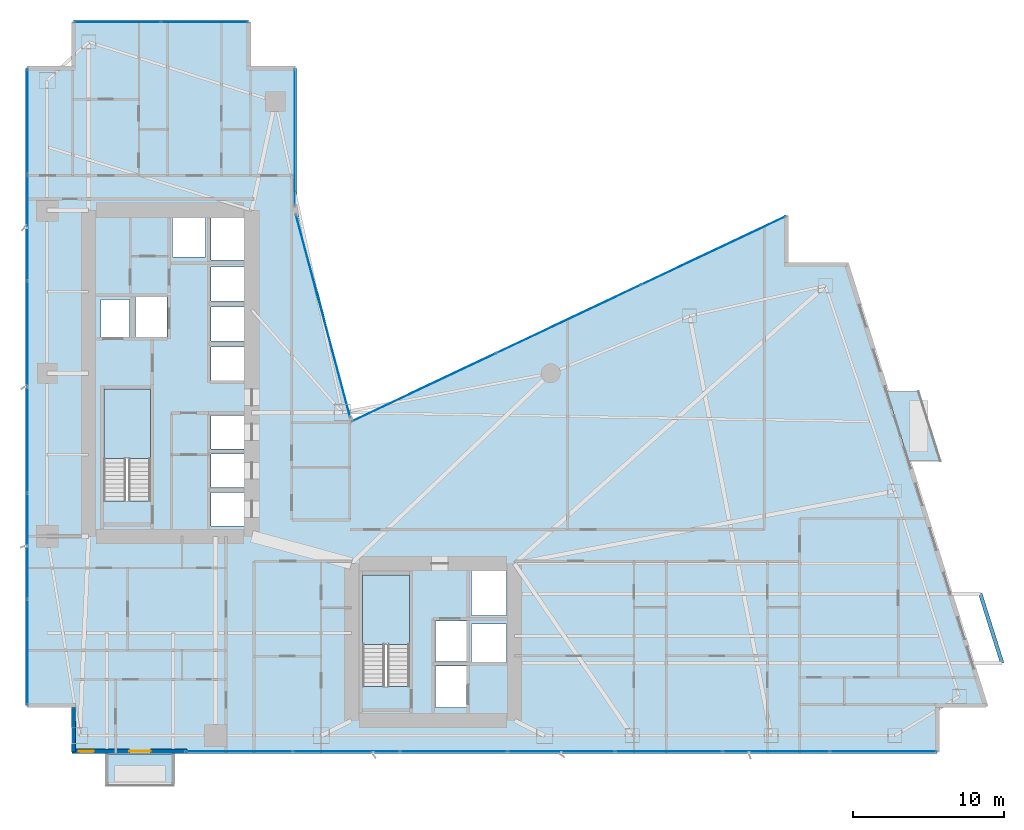
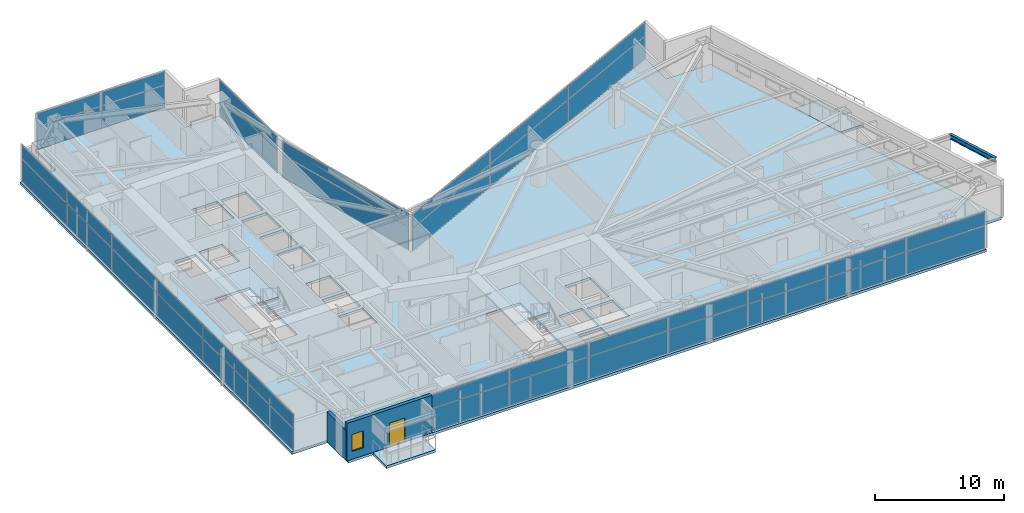
# One storey, part 21 of 29: 40 plates, 5 slabs, 2 walls, 1 beam, 1 door, 1 window, 2 openings, 8 elements without a shape of their own.
"""IFC4 building model written with IfcOpenShell, lengths in metres."""

from ifc_helpers import new_model, si_unit, direction, frame, frame_2d, origin, origin_2d, place, context, subcontext, project, spatial, polyline, rectangle, i_section, outline, extrude, material, layer, layer_set, material_profile, profile_set, type_object, element, fill, aggregate, save


model = new_model("IFC4")

# Units and contexts
model_context = context("Model", 3, precision=1e-05, world=origin(), true_north=direction((0.0, 1.0)))
body_context = subcontext(model_context, "Body", "Model", "MODEL_VIEW")
ifc_project = project(units=[si_unit("LENGTHUNIT", "METRE"), si_unit("AREAUNIT", "SQUARE_METRE"), si_unit("VOLUMEUNIT", "CUBIC_METRE"), si_unit("PLANEANGLEUNIT", "RADIAN"), si_unit("MASSUNIT", "GRAM", prefix="KILO")], contexts=[model_context])

# Site, building, storey
site_placement = place(None, origin())
site = spatial("IfcSite", under=ifc_project, at=site_placement, CompositionType="ELEMENT")
building_placement = place(site_placement, origin())
building = spatial("IfcBuilding", under=site, at=building_placement, Name="Calvorn Quay Hotel", CompositionType="ELEMENT")
storey_placement = place(building_placement, frame((0.0, 0.0, 69.800048828125)))
storey = spatial("IfcBuildingStorey", under=building, at=storey_placement, Name="L16", CompositionType="ELEMENT", Elevation=69.800048828125)

# Beam
ifc_material_1 = material(Name="Steel Q355B", Category="steel")
ifc_material_profile = material_profile(ifc_material_1, i_section(OverallWidth=0.25, OverallDepth=0.449951171875, WebThickness=0.011962890625, FlangeThickness=0.01611328125, FilletRadius=0.01611328125, at=origin_2d()), Name="HN450x250x12x16")
ifc_profile_set = profile_set([ifc_material_profile], Name="Steel Q355B")
beam_type = type_object("IfcBeamType", Name="BM-CANT-BALC", PredefinedType="BEAM", material=ifc_profile_set)
beam_placement = place(storey_placement, frame((64.7080078125, 8.39990234375, 3.31494140625), z_axis=(-0.300620172346, 0.953743944662, 0.0), x_axis=(-0.953743944662, -0.300620172346, 0.0)))
element("IfcBeam", 1, at=beam_placement, inside=storey, type_object=beam_type, Name="Beam BCBO-L17-1", PredefinedType="BEAM", context=body_context, shape_type="SweptSolid", body=[
    extrude(i_section(OverallWidth=0.25, OverallDepth=0.449951171875, WebThickness=0.011962890625, FlangeThickness=0.01611328125, FilletRadius=0.01611328125, at=origin_2d()), origin(), (0.0, 0.0, 1.0), 4.8232421875),
])

# Curtain wall, plates
ifc_material_2 = material(Name="Pale Anodised Aluminium and Low-E Glass", Category="aluminium")
ifc_layer_1 = layer(ifc_material_2, 0.219970703125)
ifc_layer_set_1 = layer_set([ifc_layer_1], Name="CW-SYS-Z1")
curtain_wall_type = type_object("IfcCurtainWallType", Name="CW-SYS-Z1", PredefinedType="NOTDEFINED", material=ifc_layer_set_1)
curtain_wall_1_placement = place(storey_placement, origin())
curtain_wall_1 = element("IfcCurtainWall", 2, at=curtain_wall_1_placement, inside=storey, type_object=curtain_wall_type, Name="Tower West Curtain Wall (L16)", PredefinedType="NOTDEFINED")
ifc_material_3 = material(Name="Low-E Laminated Double Glazing", Category="glass")
ifc_layer_2 = layer(ifc_material_3, 0.028076171875)
ifc_layer_set_2 = layer_set([ifc_layer_2], Name="CW-SYS-Z1-PAN")
plate_type = type_object("IfcPlateType", Name="CW-SYS-Z1-PAN", PredefinedType="CURTAIN_PANEL", material=ifc_layer_set_2)
plate_1_placement = place(storey_placement, frame((0.14990234375, 9.131591796875, 0.06005859375), z_axis=(0.0, 0.0, 1.0), x_axis=(0.0, 1.0, 0.0)))
plate_1 = element("IfcPlate", 3, at=plate_1_placement, type_object=plate_type, Name="CW-L16-W panel 1.1", PredefinedType="CURTAIN_PANEL", context=body_context, shape_type="SweptSolid", body=[
    extrude(rectangle(XDim=6.943359375, YDim=0.028076171875, at=origin_2d()), origin(), (0.0, 0.0, 1.0), 2.110107421875),
])
plate_2_placement = place(storey_placement, frame((0.14990234375, 9.131591796875, 2.22998046875), z_axis=(0.0, 0.0, 1.0), x_axis=(0.0, 1.0, 0.0)))
plate_2 = element("IfcPlate", 4, at=plate_2_placement, type_object=plate_type, Name="CW-L16-W panel 1.2", PredefinedType="CURTAIN_PANEL", context=body_context, shape_type="SweptSolid", body=[
    extrude(rectangle(XDim=6.943359375, YDim=0.028076171875, at=origin_2d()), origin(), (0.0, 0.0, 1.0), 1.27001953125),
])
plate_3_placement = place(storey_placement, frame((0.14990234375, 16.14990234375, 0.06005859375), z_axis=(0.0, 0.0, 1.0), x_axis=(0.0, 1.0, 0.0)))
plate_3 = element("IfcPlate", 5, at=plate_3_placement, type_object=plate_type, Name="CW-L16-W panel 2.1", PredefinedType="CURTAIN_PANEL", context=body_context, shape_type="SweptSolid", body=[
    extrude(rectangle(XDim=6.973388671875, YDim=0.028076171875, at=origin_2d()), origin(), (0.0, 0.0, 1.0), 2.110107421875),
])
plate_4_placement = place(storey_placement, frame((0.14990234375, 16.14990234375, 2.22998046875), z_axis=(0.0, 0.0, 1.0), x_axis=(0.0, 1.0, 0.0)))
plate_4 = element("IfcPlate", 6, at=plate_4_placement, type_object=plate_type, Name="CW-L16-W panel 2.2", PredefinedType="CURTAIN_PANEL", context=body_context, shape_type="SweptSolid", body=[
    extrude(rectangle(XDim=6.973388671875, YDim=0.028076171875, at=origin_2d()), origin(), (0.0, 0.0, 1.0), 1.27001953125),
])
plate_5_placement = place(storey_placement, frame((0.14990234375, 23.183349609375, 0.06005859375), z_axis=(0.0, 0.0, 1.0), x_axis=(0.0, 1.0, 0.0)))
plate_5 = element("IfcPlate", 7, at=plate_5_placement, type_object=plate_type, Name="CW-L16-W panel 3.1", PredefinedType="CURTAIN_PANEL", context=body_context, shape_type="SweptSolid", body=[
    extrude(rectangle(XDim=6.973388671875, YDim=0.028076171875, at=origin_2d()), origin(), (0.0, 0.0, 1.0), 2.110107421875),
])
plate_6_placement = place(storey_placement, frame((0.14990234375, 23.183349609375, 2.22998046875), z_axis=(0.0, 0.0, 1.0), x_axis=(0.0, 1.0, 0.0)))
plate_6 = element("IfcPlate", 8, at=plate_6_placement, type_object=plate_type, Name="CW-L16-W panel 3.2", PredefinedType="CURTAIN_PANEL", context=body_context, shape_type="SweptSolid", body=[
    extrude(rectangle(XDim=6.973388671875, YDim=0.028076171875, at=origin_2d()), origin(), (0.0, 0.0, 1.0), 1.27001953125),
])
plate_7_placement = place(storey_placement, frame((0.14990234375, 30.216552734375, 0.06005859375), z_axis=(0.0, 0.0, 1.0), x_axis=(0.0, 1.0, 0.0)))
plate_7 = element("IfcPlate", 9, at=plate_7_placement, type_object=plate_type, Name="CW-L16-W panel 4.1", PredefinedType="CURTAIN_PANEL", context=body_context, shape_type="SweptSolid", body=[
    extrude(rectangle(XDim=6.973388671875, YDim=0.028076171875, at=origin_2d()), origin(), (0.0, 0.0, 1.0), 2.110107421875),
])
plate_8_placement = place(storey_placement, frame((0.14990234375, 30.216552734375, 2.22998046875), z_axis=(0.0, 0.0, 1.0), x_axis=(0.0, 1.0, 0.0)))
plate_8 = element("IfcPlate", 10, at=plate_8_placement, type_object=plate_type, Name="CW-L16-W panel 4.2", PredefinedType="CURTAIN_PANEL", context=body_context, shape_type="SweptSolid", body=[
    extrude(rectangle(XDim=6.973388671875, YDim=0.028076171875, at=origin_2d()), origin(), (0.0, 0.0, 1.0), 1.27001953125),
])
plate_9_placement = place(storey_placement, frame((0.14990234375, 37.25, 0.06005859375), z_axis=(0.0, 0.0, 1.0), x_axis=(0.0, 1.0, 0.0)))
plate_9 = element("IfcPlate", 11, at=plate_9_placement, type_object=plate_type, Name="CW-L16-W panel 5.1", PredefinedType="CURTAIN_PANEL", context=body_context, shape_type="SweptSolid", body=[
    extrude(rectangle(XDim=6.973388671875, YDim=0.028076171875, at=origin_2d()), origin(), (0.0, 0.0, 1.0), 2.110107421875),
])
plate_10_placement = place(storey_placement, frame((0.14990234375, 37.25, 2.22998046875), z_axis=(0.0, 0.0, 1.0), x_axis=(0.0, 1.0, 0.0)))
plate_10 = element("IfcPlate", 12, at=plate_10_placement, type_object=plate_type, Name="CW-L16-W panel 5.2", PredefinedType="CURTAIN_PANEL", context=body_context, shape_type="SweptSolid", body=[
    extrude(rectangle(XDim=6.973388671875, YDim=0.028076171875, at=origin_2d()), origin(), (0.0, 0.0, 1.0), 1.27001953125),
])
plate_11_placement = place(storey_placement, frame((0.14990234375, 44.268310546875, 0.06005859375), z_axis=(0.0, 0.0, 1.0), x_axis=(0.0, 1.0, 0.0)))
plate_11 = element("IfcPlate", 13, at=plate_11_placement, type_object=plate_type, Name="CW-L16-W panel 6.1", PredefinedType="CURTAIN_PANEL", context=body_context, shape_type="SweptSolid", body=[
    extrude(rectangle(XDim=6.943359375, YDim=0.028076171875, at=origin_2d()), origin(), (0.0, 0.0, 1.0), 2.110107421875),
])
plate_12_placement = place(storey_placement, frame((0.14990234375, 44.268310546875, 2.22998046875), z_axis=(0.0, 0.0, 1.0), x_axis=(0.0, 1.0, 0.0)))
plate_12 = element("IfcPlate", 14, at=plate_12_placement, type_object=plate_type, Name="CW-L16-W panel 6.2", PredefinedType="CURTAIN_PANEL", context=body_context, shape_type="SweptSolid", body=[
    extrude(rectangle(XDim=6.943359375, YDim=0.028076171875, at=origin_2d()), origin(), (0.0, 0.0, 1.0), 1.27001953125),
])
aggregate(curtain_wall_1, [plate_1, plate_2, plate_3, plate_4, plate_5, plate_6, plate_7, plate_8, plate_9, plate_10, plate_11, plate_12])

curtain_wall_2_placement = place(storey_placement, origin())
curtain_wall_2 = element("IfcCurtainWall", 15, at=curtain_wall_2_placement, inside=storey, type_object=curtain_wall_type, Name="Tower South Waterfront Curtain Wall (L16)", PredefinedType="NOTDEFINED")
plate_13_placement = place(storey_placement, frame((14.172119140625, 2.550048828125, 0.06005859375), z_axis=(0.0, 0.0, 1.0), x_axis=(1.0, 0.0, 0.0)))
plate_13 = element("IfcPlate", 16, at=plate_13_placement, type_object=plate_type, Name="CW-L16-S panel 1.1", PredefinedType="CURTAIN_PANEL", context=body_context, shape_type="SweptSolid", body=[
    extrude(rectangle(XDim=7.024169921875, YDim=0.028076171875, at=origin_2d()), origin(), (0.0, 0.0, 1.0), 2.110107421875),
])
plate_14_placement = place(storey_placement, frame((14.172119140625, 2.550048828125, 2.22998046875), z_axis=(0.0, 0.0, 1.0), x_axis=(1.0, 0.0, 0.0)))
plate_14 = element("IfcPlate", 17, at=plate_14_placement, type_object=plate_type, Name="CW-L16-S panel 1.2", PredefinedType="CURTAIN_PANEL", context=body_context, shape_type="SweptSolid", body=[
    extrude(rectangle(XDim=7.024169921875, YDim=0.028076171875, at=origin_2d()), origin(), (0.0, 0.0, 1.0), 1.27001953125),
])
plate_15_placement = place(storey_placement, frame((21.271484375, 2.550048828125, 0.06005859375), z_axis=(0.0, 0.0, 1.0), x_axis=(1.0, 0.0, 0.0)))
plate_15 = element("IfcPlate", 18, at=plate_15_placement, type_object=plate_type, Name="CW-L16-S panel 2.1", PredefinedType="CURTAIN_PANEL", context=body_context, shape_type="SweptSolid", body=[
    extrude(rectangle(XDim=7.05419921875, YDim=0.028076171875, at=origin_2d()), origin(), (0.0, 0.0, 1.0), 2.110107421875),
])
plate_16_placement = place(storey_placement, frame((21.271484375, 2.550048828125, 2.22998046875), z_axis=(0.0, 0.0, 1.0), x_axis=(1.0, 0.0, 0.0)))
plate_16 = element("IfcPlate", 19, at=plate_16_placement, type_object=plate_type, Name="CW-L16-S panel 2.2", PredefinedType="CURTAIN_PANEL", context=body_context, shape_type="SweptSolid", body=[
    extrude(rectangle(XDim=7.05419921875, YDim=0.028076171875, at=origin_2d()), origin(), (0.0, 0.0, 1.0), 1.27001953125),
])
plate_17_placement = place(storey_placement, frame((28.3857421875, 2.550048828125, 0.06005859375), z_axis=(0.0, 0.0, 1.0), x_axis=(1.0, 0.0, 0.0)))
plate_17 = element("IfcPlate", 20, at=plate_17_placement, type_object=plate_type, Name="CW-L16-S panel 3.1", PredefinedType="CURTAIN_PANEL", context=body_context, shape_type="SweptSolid", body=[
    extrude(rectangle(XDim=7.05419921875, YDim=0.028076171875, at=origin_2d()), origin(), (0.0, 0.0, 1.0), 2.110107421875),
])
plate_18_placement = place(storey_placement, frame((28.3857421875, 2.550048828125, 2.22998046875), z_axis=(0.0, 0.0, 1.0), x_axis=(1.0, 0.0, 0.0)))
plate_18 = element("IfcPlate", 21, at=plate_18_placement, type_object=plate_type, Name="CW-L16-S panel 3.2", PredefinedType="CURTAIN_PANEL", context=body_context, shape_type="SweptSolid", body=[
    extrude(rectangle(XDim=7.05419921875, YDim=0.028076171875, at=origin_2d()), origin(), (0.0, 0.0, 1.0), 1.27001953125),
])
plate_19_placement = place(storey_placement, frame((35.5, 2.550048828125, 0.06005859375), z_axis=(0.0, 0.0, 1.0), x_axis=(1.0, 0.0, 0.0)))
plate_19 = element("IfcPlate", 22, at=plate_19_placement, type_object=plate_type, Name="CW-L16-S panel 4.1", PredefinedType="CURTAIN_PANEL", context=body_context, shape_type="SweptSolid", body=[
    extrude(rectangle(XDim=7.05419921875, YDim=0.028076171875, at=origin_2d()), origin(), (0.0, 0.0, 1.0), 2.110107421875),
])
plate_20_placement = place(storey_placement, frame((35.5, 2.550048828125, 2.22998046875), z_axis=(0.0, 0.0, 1.0), x_axis=(1.0, 0.0, 0.0)))
plate_20 = element("IfcPlate", 23, at=plate_20_placement, type_object=plate_type, Name="CW-L16-S panel 4.2", PredefinedType="CURTAIN_PANEL", context=body_context, shape_type="SweptSolid", body=[
    extrude(rectangle(XDim=7.05419921875, YDim=0.028076171875, at=origin_2d()), origin(), (0.0, 0.0, 1.0), 1.27001953125),
])
plate_21_placement = place(storey_placement, frame((42.6142578125, 2.550048828125, 0.06005859375), z_axis=(0.0, 0.0, 1.0), x_axis=(1.0, 0.0, 0.0)))
plate_21 = element("IfcPlate", 24, at=plate_21_placement, type_object=plate_type, Name="CW-L16-S panel 5.1", PredefinedType="CURTAIN_PANEL", context=body_context, shape_type="SweptSolid", body=[
    extrude(rectangle(XDim=7.05419921875, YDim=0.028076171875, at=origin_2d()), origin(), (0.0, 0.0, 1.0), 2.110107421875),
])
plate_22_placement = place(storey_placement, frame((42.6142578125, 2.550048828125, 2.22998046875), z_axis=(0.0, 0.0, 1.0), x_axis=(1.0, 0.0, 0.0)))
plate_22 = element("IfcPlate", 25, at=plate_22_placement, type_object=plate_type, Name="CW-L16-S panel 5.2", PredefinedType="CURTAIN_PANEL", context=body_context, shape_type="SweptSolid", body=[
    extrude(rectangle(XDim=7.05419921875, YDim=0.028076171875, at=origin_2d()), origin(), (0.0, 0.0, 1.0), 1.27001953125),
])
plate_23_placement = place(storey_placement, frame((49.728515625, 2.550048828125, 0.06005859375), z_axis=(0.0, 0.0, 1.0), x_axis=(1.0, 0.0, 0.0)))
plate_23 = element("IfcPlate", 26, at=plate_23_placement, type_object=plate_type, Name="CW-L16-S panel 6.1", PredefinedType="CURTAIN_PANEL", context=body_context, shape_type="SweptSolid", body=[
    extrude(rectangle(XDim=7.05419921875, YDim=0.028076171875, at=origin_2d()), origin(), (0.0, 0.0, 1.0), 2.110107421875),
])
plate_24_placement = place(storey_placement, frame((49.728515625, 2.550048828125, 2.22998046875), z_axis=(0.0, 0.0, 1.0), x_axis=(1.0, 0.0, 0.0)))
plate_24 = element("IfcPlate", 27, at=plate_24_placement, type_object=plate_type, Name="CW-L16-S panel 6.2", PredefinedType="CURTAIN_PANEL", context=body_context, shape_type="SweptSolid", body=[
    extrude(rectangle(XDim=7.05419921875, YDim=0.028076171875, at=origin_2d()), origin(), (0.0, 0.0, 1.0), 1.27001953125),
])
plate_25_placement = place(storey_placement, frame((56.827880859375, 2.550048828125, 0.06005859375), z_axis=(0.0, 0.0, 1.0), x_axis=(1.0, 0.0, 0.0)))
plate_25 = element("IfcPlate", 28, at=plate_25_placement, type_object=plate_type, Name="CW-L16-S panel 7.1", PredefinedType="CURTAIN_PANEL", context=body_context, shape_type="SweptSolid", body=[
    extrude(rectangle(XDim=7.024169921875, YDim=0.028076171875, at=origin_2d()), origin(), (0.0, 0.0, 1.0), 2.110107421875),
])
plate_26_placement = place(storey_placement, frame((56.827880859375, 2.550048828125, 2.22998046875), z_axis=(0.0, 0.0, 1.0), x_axis=(1.0, 0.0, 0.0)))
plate_26 = element("IfcPlate", 29, at=plate_26_placement, type_object=plate_type, Name="CW-L16-S panel 7.2", PredefinedType="CURTAIN_PANEL", context=body_context, shape_type="SweptSolid", body=[
    extrude(rectangle(XDim=7.024169921875, YDim=0.028076171875, at=origin_2d()), origin(), (0.0, 0.0, 1.0), 1.27001953125),
])
aggregate(curtain_wall_2, [plate_13, plate_14, plate_15, plate_16, plate_17, plate_18, plate_19, plate_20, plate_21, plate_22, plate_23, plate_24, plate_25, plate_26])

curtain_wall_3_placement = place(storey_placement, origin())
curtain_wall_3 = element("IfcCurtainWall", 30, at=curtain_wall_3_placement, inside=storey, type_object=curtain_wall_type, Name="Inner Court Curtain Wall L16-NE1", PredefinedType="NOTDEFINED")
plate_27_placement = place(storey_placement, frame((45.58642578125, 35.726806640625, 0.06005859375), z_axis=(0.0, 0.0, 1.0), x_axis=(-0.904248646743, -0.427006305415, 0.0)))
plate_27 = element("IfcPlate", 31, at=plate_27_placement, type_object=plate_type, Name="CW-L16-NE1 panel 1.1", PredefinedType="CURTAIN_PANEL", context=body_context, shape_type="SweptSolid", body=[
    extrude(rectangle(XDim=10.526611328125, YDim=0.028076171875, at=origin_2d()), origin(), (0.0, 0.0, 1.0), 2.110107421875),
])
plate_28_placement = place(storey_placement, frame((45.58642578125, 35.726806640625, 2.22998046875), z_axis=(0.0, 0.0, 1.0), x_axis=(-0.904248646743, -0.427006305415, 0.0)))
plate_28 = element("IfcPlate", 32, at=plate_28_placement, type_object=plate_type, Name="CW-L16-NE1 panel 1.2", PredefinedType="CURTAIN_PANEL", context=body_context, shape_type="SweptSolid", body=[
    extrude(rectangle(XDim=10.526611328125, YDim=0.028076171875, at=origin_2d()), origin(), (0.0, 0.0, 1.0), 1.27001953125),
])
plate_29_placement = place(storey_placement, frame((36.0, 31.199951171875, 0.06005859375), z_axis=(0.0, 0.0, 1.0), x_axis=(-0.904248646743, -0.427006305415, 0.0)))
plate_29 = element("IfcPlate", 33, at=plate_29_placement, type_object=plate_type, Name="CW-L16-NE1 panel 2.1", PredefinedType="CURTAIN_PANEL", context=body_context, shape_type="SweptSolid", body=[
    extrude(rectangle(XDim=10.556640625, YDim=0.028076171875, at=origin_2d()), origin(), (0.0, 0.0, 1.0), 2.110107421875),
])
plate_30_placement = place(storey_placement, frame((36.0, 31.199951171875, 2.22998046875), z_axis=(0.0, 0.0, 1.0), x_axis=(-0.904248646743, -0.427006305415, 0.0)))
plate_30 = element("IfcPlate", 34, at=plate_30_placement, type_object=plate_type, Name="CW-L16-NE1 panel 2.2", PredefinedType="CURTAIN_PANEL", context=body_context, shape_type="SweptSolid", body=[
    extrude(rectangle(XDim=10.556640625, YDim=0.028076171875, at=origin_2d()), origin(), (0.0, 0.0, 1.0), 1.27001953125),
])
plate_31_placement = place(storey_placement, frame((26.41357421875, 26.673095703125, 0.06005859375), z_axis=(0.0, 0.0, 1.0), x_axis=(-0.904248646743, -0.427006305415, 0.0)))
plate_31 = element("IfcPlate", 35, at=plate_31_placement, type_object=plate_type, Name="CW-L16-NE1 panel 3.1", PredefinedType="CURTAIN_PANEL", context=body_context, shape_type="SweptSolid", body=[
    extrude(rectangle(XDim=10.526611328125, YDim=0.028076171875, at=origin_2d()), origin(), (0.0, 0.0, 1.0), 2.110107421875),
])
plate_32_placement = place(storey_placement, frame((26.41357421875, 26.673095703125, 2.22998046875), z_axis=(0.0, 0.0, 1.0), x_axis=(-0.904248646743, -0.427006305415, 0.0)))
plate_32 = element("IfcPlate", 36, at=plate_32_placement, type_object=plate_type, Name="CW-L16-NE1 panel 3.2", PredefinedType="CURTAIN_PANEL", context=body_context, shape_type="SweptSolid", body=[
    extrude(rectangle(XDim=10.526611328125, YDim=0.028076171875, at=origin_2d()), origin(), (0.0, 0.0, 1.0), 1.27001953125),
])
aggregate(curtain_wall_3, [plate_27, plate_28, plate_29, plate_30, plate_31, plate_32])

curtain_wall_4_placement = place(storey_placement, origin())
curtain_wall_4 = element("IfcCurtainWall", 37, at=curtain_wall_4_placement, inside=storey, type_object=curtain_wall_type, Name="Inner Court Curtain Wall L16-IC1", PredefinedType="NOTDEFINED")
plate_33_placement = place(storey_placement, frame((19.72509765625, 31.39990234375, 0.06005859375), z_axis=(0.0, 0.0, 1.0), x_axis=(-0.25877913024, 0.96593652056, 0.0)))
plate_33 = element("IfcPlate", 38, at=plate_33_placement, type_object=plate_type, Name="CW-L16-IC1 panel 1.1", PredefinedType="CURTAIN_PANEL", context=body_context, shape_type="SweptSolid", body=[
    extrude(rectangle(XDim=13.814697265625, YDim=0.028076171875, at=origin_2d()), origin(), (0.0, 0.0, 1.0), 2.110107421875),
])
plate_34_placement = place(storey_placement, frame((19.72509765625, 31.39990234375, 2.22998046875), z_axis=(0.0, 0.0, 1.0), x_axis=(-0.25877913024, 0.96593652056, 0.0)))
plate_34 = element("IfcPlate", 39, at=plate_34_placement, type_object=plate_type, Name="CW-L16-IC1 panel 1.2", PredefinedType="CURTAIN_PANEL", context=body_context, shape_type="SweptSolid", body=[
    extrude(rectangle(XDim=13.814697265625, YDim=0.028076171875, at=origin_2d()), origin(), (0.0, 0.0, 1.0), 1.27001953125),
])
aggregate(curtain_wall_4, [plate_33, plate_34])

curtain_wall_5_placement = place(storey_placement, origin())
curtain_wall_5 = element("IfcCurtainWall", 40, at=curtain_wall_5_placement, inside=storey, type_object=curtain_wall_type, Name="Inner Court Curtain Wall L16-IC2", PredefinedType="NOTDEFINED")
plate_35_placement = place(storey_placement, frame((17.85009765625, 43.239990234375, 0.06005859375), z_axis=(0.0, 0.0, 1.0), x_axis=(0.0, 1.0, 0.0)))
plate_35 = element("IfcPlate", 41, at=plate_35_placement, type_object=plate_type, Name="CW-L16-IC2 panel 1.1", PredefinedType="CURTAIN_PANEL", context=body_context, shape_type="SweptSolid", body=[
    extrude(rectangle(XDim=9.0, YDim=0.028076171875, at=origin_2d()), origin(), (0.0, 0.0, 1.0), 2.110107421875),
])
plate_36_placement = place(storey_placement, frame((17.85009765625, 43.239990234375, 2.22998046875), z_axis=(0.0, 0.0, 1.0), x_axis=(0.0, 1.0, 0.0)))
plate_36 = element("IfcPlate", 42, at=plate_36_placement, type_object=plate_type, Name="CW-L16-IC2 panel 1.2", PredefinedType="CURTAIN_PANEL", context=body_context, shape_type="SweptSolid", body=[
    extrude(rectangle(XDim=9.0, YDim=0.028076171875, at=origin_2d()), origin(), (0.0, 0.0, 1.0), 1.27001953125),
])
aggregate(curtain_wall_5, [plate_35, plate_36])

curtain_wall_6_placement = place(storey_placement, origin())
curtain_wall_6 = element("IfcCurtainWall", 43, at=curtain_wall_6_placement, inside=storey, type_object=curtain_wall_type, Name="Inner Court Curtain Wall L16-N1", PredefinedType="NOTDEFINED")
plate_37_placement = place(storey_placement, frame((11.885009765625, 50.85009765625, 0.06005859375), z_axis=(0.0, 0.0, 1.0), x_axis=(-1.0, 0.0, 0.0)))
plate_37 = element("IfcPlate", 44, at=plate_37_placement, type_object=plate_type, Name="CW-L16-N1 panel 1.1", PredefinedType="CURTAIN_PANEL", context=body_context, shape_type="SweptSolid", body=[
    extrude(rectangle(XDim=5.7099609375, YDim=0.028076171875, at=origin_2d()), origin(), (0.0, 0.0, 1.0), 2.110107421875),
])
plate_38_placement = place(storey_placement, frame((11.885009765625, 50.85009765625, 2.22998046875), z_axis=(0.0, 0.0, 1.0), x_axis=(-1.0, 0.0, 0.0)))
plate_38 = element("IfcPlate", 45, at=plate_38_placement, type_object=plate_type, Name="CW-L16-N1 panel 1.2", PredefinedType="CURTAIN_PANEL", context=body_context, shape_type="SweptSolid", body=[
    extrude(rectangle(XDim=5.7099609375, YDim=0.028076171875, at=origin_2d()), origin(), (0.0, 0.0, 1.0), 1.27001953125),
])
plate_39_placement = place(storey_placement, frame((6.114990234375, 50.85009765625, 0.06005859375), z_axis=(0.0, 0.0, 1.0), x_axis=(-1.0, 0.0, 0.0)))
plate_39 = element("IfcPlate", 46, at=plate_39_placement, type_object=plate_type, Name="CW-L16-N1 panel 2.1", PredefinedType="CURTAIN_PANEL", context=body_context, shape_type="SweptSolid", body=[
    extrude(rectangle(XDim=5.7099609375, YDim=0.028076171875, at=origin_2d()), origin(), (0.0, 0.0, 1.0), 2.110107421875),
])
plate_40_placement = place(storey_placement, frame((6.114990234375, 50.85009765625, 2.22998046875), z_axis=(0.0, 0.0, 1.0), x_axis=(-1.0, 0.0, 0.0)))
plate_40 = element("IfcPlate", 47, at=plate_40_placement, type_object=plate_type, Name="CW-L16-N1 panel 2.2", PredefinedType="CURTAIN_PANEL", context=body_context, shape_type="SweptSolid", body=[
    extrude(rectangle(XDim=5.7099609375, YDim=0.028076171875, at=origin_2d()), origin(), (0.0, 0.0, 1.0), 1.27001953125),
])
aggregate(curtain_wall_6, [plate_37, plate_38, plate_39, plate_40])

# Slabs
ifc_material_4 = material(Name="Concrete C40", Category="concrete")
ifc_layer_3 = layer(ifc_material_4, 0.239990234375)
ifc_layer_set_3 = layer_set([ifc_layer_3], Name="SLB-BALCONY-220")
slab_type_1 = type_object("IfcSlabType", Name="SLB-BALCONY-220", PredefinedType="FLOOR", material=ifc_layer_set_3)
slab_1_placement = place(storey_placement, frame((0.0, 0.0, -0.239990234375)))
element("IfcSlab", 48, at=slab_1_placement, inside=storey, type_object=slab_type_1, Name="Tree Balcony Slab L16-BALC-E", PredefinedType="FLOOR", context=body_context, shape_type="SweptSolid", body=[
    extrude(outline(polyline([(58.506103515625, 21.800048828125), (60.60595703125, 21.800048828125), (59.156982421875, 26.39990234375), (57.056884765625, 26.39990234375), (58.506103515625, 21.800048828125)])), origin(), (0.0, 0.0, 1.0), 0.239990234375),
])
slab_2_placement = place(storey_placement, frame((0.0, 0.0, -0.239990234375)))
element("IfcSlab", 49, at=slab_2_placement, inside=storey, type_object=slab_type_1, Name="Tree Balcony Slab L16-BALC-S", PredefinedType="FLOOR", context=body_context, shape_type="SweptSolid", body=[
    extrude(outline(polyline([(5.39990234375, 0.2900390625), (9.800048828125, 0.2900390625), (9.800048828125, 2.389892578125), (5.39990234375, 2.389892578125), (5.39990234375, 0.2900390625)])), origin(), (0.0, 0.0, 1.0), 0.239990234375),
])

# Stair, slab
ifc_material_5 = material(Name="Concrete C40", Category="concrete")
stair_type = type_object("IfcStairType", Name="STR-CORE-DOGLEG", PredefinedType="HALF_TURN_STAIR", material=ifc_material_5)
stair_1_placement = place(storey_placement, origin())
stair_1 = element("IfcStair", 50, at=stair_1_placement, inside=storey, type_object=stair_type, Name="L16 ST-W", PredefinedType="HALF_TURN_STAIR")
ifc_material_6 = material(Name="Concrete C40", Category="concrete")
ifc_layer_4 = layer(ifc_material_6, 0.199951171875)
ifc_layer_set_4 = layer_set([ifc_layer_4], Name="SLB-STAIR-LANDING-200")
slab_type_2 = type_object("IfcSlabType", Name="SLB-STAIR-LANDING-200", PredefinedType="LANDING", material=ifc_layer_set_4)
slab_3_placement = place(storey_placement, frame((0.0, 0.0, 1.699951171875)))
slab_3 = element("IfcSlab", 51, at=slab_3_placement, type_object=slab_type_2, Name="ST-W landing 1", PredefinedType="LANDING", context=body_context, shape_type="SweptSolid", body=[
    extrude(outline(polyline([(8.300048828125, 21.949951171875), (8.300048828125, 26.550048828125), (5.199951171875, 26.550048828125), (5.199951171875, 21.949951171875), (8.300048828125, 21.949951171875)])), origin(), (0.0, 0.0, 1.0), 0.199951171875),
])
aggregate(stair_1, [slab_3])

stair_2_placement = place(storey_placement, origin())
stair_2 = element("IfcStair", 52, at=stair_2_placement, inside=storey, type_object=stair_type, Name="L16 ST-E", PredefinedType="HALF_TURN_STAIR")
slab_4_placement = place(storey_placement, frame((0.0, 0.0, 1.699951171875)))
slab_4 = element("IfcSlab", 53, at=slab_4_placement, type_object=slab_type_2, Name="ST-E landing 1", PredefinedType="LANDING", context=body_context, shape_type="SweptSolid", body=[
    extrude(outline(polyline([(25.449951171875, 9.64990234375), (25.449951171875, 14.25), (22.35009765625, 14.25), (22.35009765625, 9.64990234375), (25.449951171875, 9.64990234375)])), origin(), (0.0, 0.0, 1.0), 0.199951171875),
])
aggregate(stair_2, [slab_4])

# Slab
ifc_material_7 = material(Name="Concrete C40", Category="concrete")
ifc_layer_5 = layer(ifc_material_7, 0.239990234375)
ifc_layer_set_5 = layer_set([ifc_layer_5], Name="SLB-TOWER-240")
slab_type_3 = type_object("IfcSlabType", Name="SLB-TOWER-240", PredefinedType="FLOOR", material=ifc_layer_set_5)
slab_5_placement = place(storey_placement, frame((0.0, 0.0, -0.239990234375)))
element("IfcSlab", 54, at=slab_5_placement, inside=storey, type_object=slab_type_3, Name="L16 Structural Floor Slab", PredefinedType="FLOOR", context=body_context, shape_type="SweptSolid", body=[
    extrude(outline(polyline([(0.0, 5.60009765625), (3.199951171875, 5.60009765625), (3.199951171875, 2.39990234375), (60.39990234375, 2.39990234375), (60.39990234375, 5.60009765625), (63.60009765625, 5.60009765625), (54.39990234375, 34.800048828125), (50.39990234375, 34.800048828125), (50.39990234375, 38.0), (21.60009765625, 24.39990234375), (18.0, 38.39990234375), (18.0, 47.800048828125), (14.800048828125, 47.800048828125), (14.800048828125, 51.0), (3.199951171875, 51.0), (3.199951171875, 47.800048828125), (0.0, 47.800048828125), (0.0, 5.60009765625)]), holes=[polyline([(5.199951171875, 19.156005859375), (8.300048828125, 19.156005859375), (8.300048828125, 26.550048828125), (5.199951171875, 26.550048828125), (5.199951171875, 19.156005859375)]), polyline([(22.35009765625, 6.85595703125), (25.449951171875, 6.85595703125), (25.449951171875, 14.25), (22.35009765625, 14.25), (22.35009765625, 6.85595703125)]), polyline([(5.0, 30.0), (6.89990234375, 30.0), (6.89990234375, 32.5), (5.0, 32.5), (5.0, 30.0)]), polyline([(7.300048828125, 30.0), (9.39990234375, 30.0), (9.39990234375, 32.64990234375), (7.300048828125, 32.64990234375), (7.300048828125, 30.0)]), polyline([(27.159912109375, 8.5), (29.2099609375, 8.5), (29.2099609375, 11.199951171875), (27.159912109375, 11.199951171875), (27.159912109375, 8.5)]), polyline([(27.159912109375, 5.449951171875), (29.2099609375, 5.449951171875), (29.2099609375, 8.199951171875), (27.159912109375, 8.199951171875), (27.159912109375, 5.449951171875)]), polyline([(12.300048828125, 17.5), (14.489990234375, 17.5), (14.489990234375, 19.699951171875), (12.300048828125, 19.699951171875), (12.300048828125, 17.5)]), polyline([(12.300048828125, 20.050048828125), (14.489990234375, 20.050048828125), (14.489990234375, 22.25), (12.300048828125, 22.25), (12.300048828125, 20.050048828125)]), polyline([(12.300048828125, 22.60009765625), (14.489990234375, 22.60009765625), (14.489990234375, 24.800048828125), (12.300048828125, 24.800048828125), (12.300048828125, 22.60009765625)]), polyline([(12.300048828125, 27.10009765625), (14.489990234375, 27.10009765625), (14.489990234375, 29.35009765625), (12.300048828125, 29.35009765625), (12.300048828125, 27.10009765625)]), polyline([(12.300048828125, 29.75), (14.489990234375, 29.75), (14.489990234375, 32.0), (12.300048828125, 32.0), (12.300048828125, 29.75)]), polyline([(12.300048828125, 32.39990234375), (14.489990234375, 32.39990234375), (14.489990234375, 34.64990234375), (12.300048828125, 34.64990234375), (12.300048828125, 32.39990234375)]), polyline([(12.300048828125, 35.10009765625), (14.489990234375, 35.10009765625), (14.489990234375, 37.889892578125), (12.300048828125, 37.889892578125), (12.300048828125, 35.10009765625)]), polyline([(9.75, 35.300048828125), (11.949951171875, 35.300048828125), (11.949951171875, 37.889892578125), (9.75, 37.889892578125), (9.75, 35.300048828125)]), polyline([(29.550048828125, 11.550048828125), (31.889892578125, 11.550048828125), (31.889892578125, 14.489990234375), (29.550048828125, 14.489990234375), (29.550048828125, 11.550048828125)]), polyline([(29.550048828125, 8.449951171875), (31.889892578125, 8.449951171875), (31.889892578125, 11.0), (29.550048828125, 11.0), (29.550048828125, 8.449951171875)])]), origin(), (0.0, 0.0, 1.0), 0.239990234375),
])

# Wall, openings, door, window
ifc_material_8 = material(Name="Concrete C40", Category="concrete")
ifc_layer_6 = layer(ifc_material_8, 0.320068359375)
ifc_layer_set_6 = layer_set([ifc_layer_6], Name="WL-EXT-SPANDREL-320")
wall_type = type_object("IfcWallType", Name="WL-EXT-SPANDREL-320", PredefinedType="SOLIDWALL", material=ifc_layer_set_6)
wall_1_placement = place(storey_placement, frame((3.10009765625, 2.56005859375, 0.0), z_axis=(0.0, 0.0, 1.0), x_axis=(1.0, 0.0, 0.0)))
wall_1 = element("IfcWall", 55, at=wall_1_placement, inside=storey, type_object=wall_type, Name="South Balcony Exterior Wall (L16)", PredefinedType="SOLIDWALL", context=body_context, shape_type="SweptSolid", body=[
    extrude(rectangle(XDim=7.599853515625, YDim=0.320068359375, at=frame_2d((3.7998046875, 0.0))), origin(), (0.0, 0.0, 1.0), 3.56005859375),
])
opening_1_placement = place(wall_1_placement, frame((0.449951171875, 0.0, 0.75)))
opening_1 = element("IfcOpeningElement", 56, at=opening_1_placement, cuts=wall_1, Name="Opening WSB-L16-1", PredefinedType="OPENING", context=body_context, shape_type="SweptSolid", body=[
    extrude(rectangle(XDim=1.0, YDim=1.60009765625, at=frame_2d((0.5, 0.800048828125))), frame((0.0, 0.169921875, 0.0), z_axis=(0.0, -1.0, 0.0), x_axis=(1.0, 0.0, 0.0)), (0.0, 0.0, 1.0), 0.340087890625),
])
opening_2_placement = place(wall_1_placement, frame((3.800048828125, 0.0, 0.0)))
opening_2 = element("IfcOpeningElement", 57, at=opening_2_placement, cuts=wall_1, Name="Opening DB-L16-2", PredefinedType="OPENING", context=body_context, shape_type="SweptSolid", body=[
    extrude(rectangle(XDim=1.39990234375, YDim=2.25, at=frame_2d((0.699951171875, 1.125))), frame((0.0, 0.169921875, 0.0), z_axis=(0.0, -1.0, 0.0), x_axis=(1.0, 0.0, 0.0)), (0.0, 0.0, 1.0), 0.340087890625),
])
ifc_material_9 = material(Name="Typhoon-Rated Low-E Aluminium Terrace Door", Category="aluminium")
door_type = type_object("IfcDoorType", Name="DR-BALCONY-GLZ-1400", OperationType="NOTDEFINED", PredefinedType="DOOR", material=ifc_material_9)
door_placement = place(opening_2_placement, origin())
door = element("IfcDoor", 58, at=door_placement, inside=storey, type_object=door_type, Name="Tree Balcony Terrace Door L16-BALC-S", OperationType="SINGLE_SWING_LEFT", OverallHeight=2.25, OverallWidth=1.39990234375, PredefinedType="DOOR", context=body_context, shape_type="SweptSolid", body=[
    extrude(rectangle(XDim=1.39990234375, YDim=2.25, at=frame_2d((0.699951171875, 1.125))), frame((0.0, 0.02490234375, 0.0), z_axis=(0.0, -1.0, 0.0), x_axis=(1.0, 0.0, 0.0)), (0.0, 0.0, 1.0), 0.050048828125),
])
fill(opening_2, door)
ifc_material_10 = material(Name="Self-Closing Class B Side Fire Window")
window_type = type_object("IfcWindowType", Name="WIN-REFUGE-NARROW-1000x1600", PartitioningType="SINGLE_PANEL", PredefinedType="WINDOW", material=ifc_material_10)
window_placement = place(opening_1_placement, origin())
window = element("IfcWindow", 59, at=window_placement, inside=storey, type_object=window_type, Name="South Waterfront Side Window (L16)", OverallHeight=1.60009765625, OverallWidth=1.0, PartitioningType="SINGLE_PANEL", PredefinedType="WINDOW", context=body_context, shape_type="SweptSolid", body=[
    extrude(rectangle(XDim=1.0, YDim=1.60009765625, at=frame_2d((0.5, 0.800048828125))), frame((0.0, 0.030029296875, 0.0), z_axis=(0.0, -1.0, 0.0), x_axis=(1.0, 0.0, 0.0)), (0.0, 0.0, 1.0), 0.06005859375),
])
fill(opening_1, window)

# Wall
wall_2_placement = place(storey_placement, frame((3.199951171875, 5.4599609375, 0.0), z_axis=(0.0, 0.0, 1.0), x_axis=(0.0, -1.0, 0.0)))
element("IfcWall", 60, at=wall_2_placement, inside=storey, type_object=wall_type, Name="Notched Corner Spandrel L16-SW2", PredefinedType="SOLIDWALL", context=body_context, shape_type="SweptSolid", body=[
    extrude(rectangle(XDim=2.93994140625, YDim=0.280029296875, at=frame_2d((1.469970703125, 0.0))), origin(), (0.0, 0.0, 1.0), 2.83984375),
])

save(model, "model.ifc")
